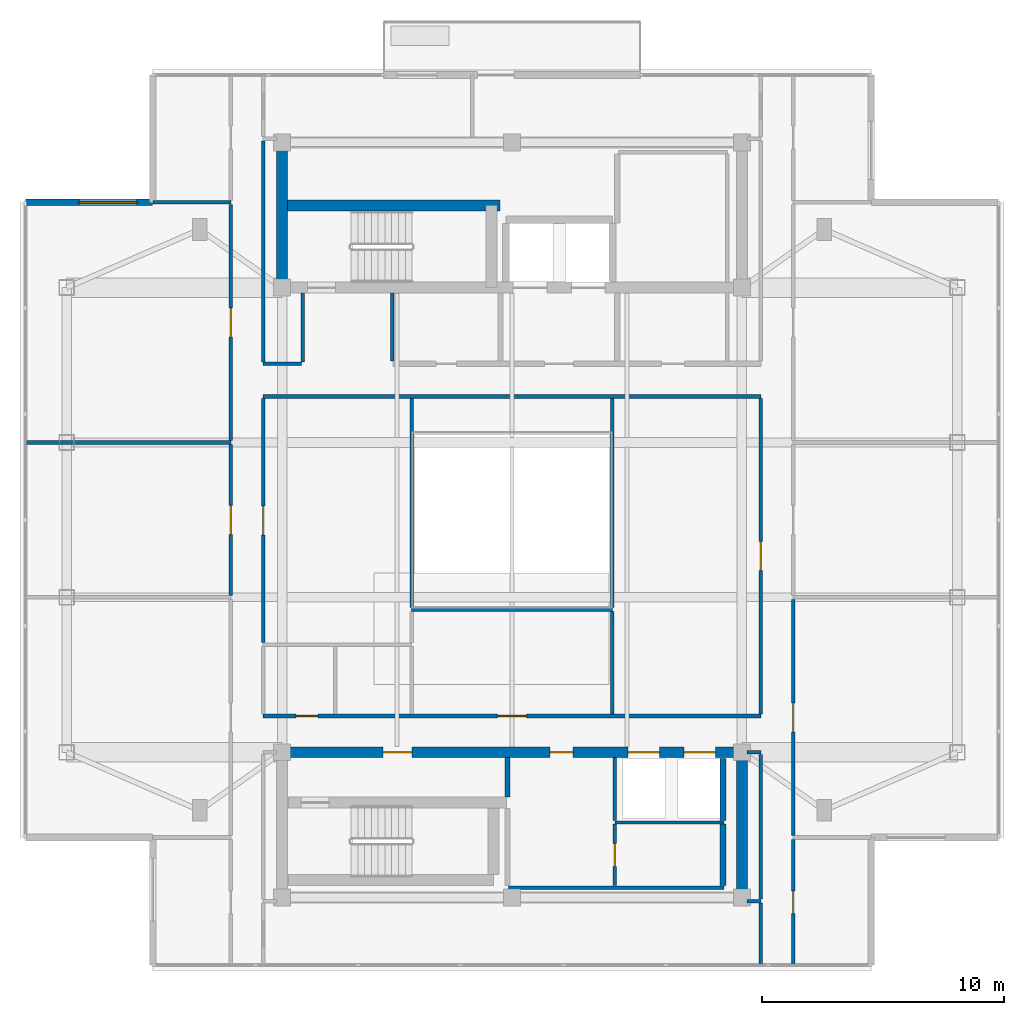
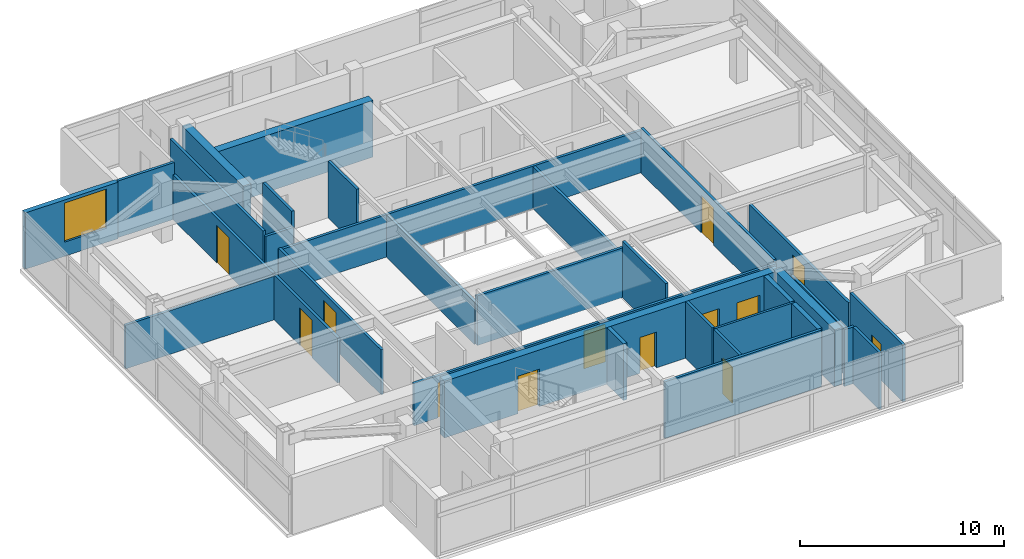
# One storey, part 6 of 12: 34 walls, 13 doors, 1 window, 14 openings.
"""IFC4 building model written with IfcOpenShell, lengths in metres."""

from ifc_helpers import new_model, si_unit, direction, frame, frame_2d, origin, place, context, subcontext, project, spatial, rectangle, extrude, material, layer, layer_set, type_object, element, fill, save


model = new_model("IFC4")

# Units and contexts
model_context = context("Model", 3, precision=1e-05, world=origin(), true_north=direction((0.0, 1.0)))
body_context = subcontext(model_context, "Body", "Model", "MODEL_VIEW")
ifc_project = project(units=[si_unit("LENGTHUNIT", "METRE"), si_unit("AREAUNIT", "SQUARE_METRE"), si_unit("VOLUMEUNIT", "CUBIC_METRE"), si_unit("PLANEANGLEUNIT", "RADIAN"), si_unit("MASSUNIT", "GRAM", prefix="KILO")], contexts=[model_context])

# Site, building, storey
site_placement = place(None, origin())
site = spatial("IfcSite", under=ifc_project, at=site_placement, CompositionType="ELEMENT")
building_placement = place(site_placement, origin())
building = spatial("IfcBuilding", under=site, at=building_placement, Name="Mirazonda Arch Towers", CompositionType="ELEMENT")
storey_placement = place(building_placement, frame((0.0, 0.0, 252.699951171875)))
storey = spatial("IfcBuildingStorey", under=building, at=storey_placement, Name="L72", CompositionType="ELEMENT", Elevation=252.699951171875)

# Walls
ifc_material_1 = material(Name="Concrete C50/60", Category="concrete")
ifc_layer_1 = layer(ifc_material_1, 0.449951171875, Name="WALL-CORE-450")
ifc_layer_set_1 = layer_set([ifc_layer_1], Name="Concrete C50/60")
wall_type_1 = type_object("IfcWallType", Name="WALL-CORE-450", PredefinedType="SHEAR", material=ifc_layer_set_1)
wall_1_placement = place(storey_placement, frame((11.0, 37.60009765625, 0.0), z_axis=(0.0, 0.0, 1.0), x_axis=(0.0, 1.0, 0.0)))
element("IfcWall", 1, at=wall_1_placement, inside=storey, type_object=wall_type_1, Name="L72 T1N-W Core Shear Wall", PredefinedType="SHEAR", context=body_context, shape_type="SweptSolid", body=[
    extrude(rectangle(XDim=6.0, YDim=0.449951171875, at=frame_2d((3.0, 0.0))), origin(), (0.0, 0.0, 1.0), 3.400146484375),
])
wall_2_placement = place(storey_placement, frame((11.0, 40.992919921875, 0.0), z_axis=(0.0, 0.0, 1.0), x_axis=(1.0, 0.0, 0.0)))
element("IfcWall", 2, at=wall_2_placement, inside=storey, type_object=wall_type_1, Name="L72 T1N-STN Core Shear Wall", PredefinedType="SHEAR", context=body_context, shape_type="SweptSolid", body=[
    extrude(rectangle(XDim=9.0, YDim=0.449951171875, at=frame_2d((4.5, 0.0))), origin(), (0.0, 0.0, 1.0), 3.400146484375),
])
wall_3_placement = place(storey_placement, frame((30.0, 12.39990234375, 0.0), z_axis=(0.0, 0.0, 1.0), x_axis=(0.0, 1.0, 0.0)))
element("IfcWall", 3, at=wall_3_placement, inside=storey, type_object=wall_type_1, Name="L72 T1S-E Core Shear Wall", PredefinedType="SHEAR", context=body_context, shape_type="SweptSolid", body=[
    extrude(rectangle(XDim=6.0, YDim=0.449951171875, at=frame_2d((3.0, 0.0))), origin(), (0.0, 0.0, 1.0), 3.400146484375),
])

# Wall, openings, doors
wall_4_placement = place(storey_placement, frame((11.0, 18.39990234375, 0.0), z_axis=(0.0, 0.0, 1.0), x_axis=(1.0, 0.0, 0.0)))
wall_4 = element("IfcWall", 4, at=wall_4_placement, inside=storey, type_object=wall_type_1, Name="L72 T1S-N Core Shear Wall", PredefinedType="SHEAR", context=body_context, shape_type="SweptSolid", body=[
    extrude(rectangle(XDim=19.0, YDim=0.449951171875, at=frame_2d((9.5, 0.0))), origin(), (0.0, 0.0, 1.0), 3.400146484375),
])
opening_1_placement = place(wall_4_placement, frame((4.175048828125, 0.0, 0.0)))
opening_1 = element("IfcOpeningElement", 5, at=opening_1_placement, cuts=wall_4, Name="Opening DR-117", PredefinedType="OPENING", context=body_context, shape_type="SweptSolid", body=[
    extrude(rectangle(XDim=1.199951171875, YDim=2.25, at=frame_2d((0.60009765625, 1.125))), frame((0.0, 0.23486328125, 0.0), z_axis=(0.0, -1.0, 0.0), x_axis=(1.0, 0.0, 0.0)), (0.0, 0.0, 1.0), 0.469970703125),
])
opening_2_placement = place(wall_4_placement, frame((11.074951171875, 0.0, 0.0)))
opening_2 = element("IfcOpeningElement", 6, at=opening_2_placement, cuts=wall_4, Name="Opening DR-104", PredefinedType="OPENING", context=body_context, shape_type="SweptSolid", body=[
    extrude(rectangle(XDim=0.949951171875, YDim=2.14990234375, at=frame_2d((0.47509765625, 1.074951171875))), frame((0.0, 0.23486328125, 0.0), z_axis=(0.0, -1.0, 0.0), x_axis=(1.0, 0.0, 0.0)), (0.0, 0.0, 1.0), 0.469970703125),
])
opening_3_placement = place(wall_4_placement, frame((14.300048828125, 0.0, 0.0)))
opening_3 = element("IfcOpeningElement", 7, at=opening_3_placement, cuts=wall_4, Name="Opening LD-111", PredefinedType="OPENING", context=body_context, shape_type="SweptSolid", body=[
    extrude(rectangle(XDim=1.300048828125, YDim=2.300048828125, at=frame_2d((0.64990234375, 1.14990234375))), frame((0.0, 0.23486328125, 0.0), z_axis=(0.0, -1.0, 0.0), x_axis=(1.0, 0.0, 0.0)), (0.0, 0.0, 1.0), 0.469970703125),
])
opening_4_placement = place(wall_4_placement, frame((16.60009765625, 0.0, 0.0)))
opening_4 = element("IfcOpeningElement", 8, at=opening_4_placement, cuts=wall_4, Name="Opening LD-111", PredefinedType="OPENING", context=body_context, shape_type="SweptSolid", body=[
    extrude(rectangle(XDim=1.300048828125, YDim=2.300048828125, at=frame_2d((0.64990234375, 1.14990234375))), frame((0.0, 0.23486328125, 0.0), z_axis=(0.0, -1.0, 0.0), x_axis=(1.0, 0.0, 0.0)), (0.0, 0.0, 1.0), 0.469970703125),
])
ifc_material_2 = material(Name="Architectural Brushed Steel S355", Category="steel")
door_type_1 = type_object("IfcDoorType", Name="DOOR-FFL-FD90-1200", OperationType="NOTDEFINED", PredefinedType="DOOR", material=ifc_material_2)
door_1_placement = place(opening_1_placement, origin())
door_1 = element("IfcDoor", 9, at=door_1_placement, inside=storey, type_object=door_type_1, Name="L72 South Core Stair & Lift Lobby Door", OperationType="SINGLE_SWING_RIGHT", OverallHeight=2.25, OverallWidth=1.199951171875, PredefinedType="DOOR", context=body_context, shape_type="SweptSolid", body=[
    extrude(rectangle(XDim=1.199951171875, YDim=2.25, at=frame_2d((0.60009765625, 1.125))), frame((0.0, 0.02490234375, 0.0), z_axis=(0.0, -1.0, 0.0), x_axis=(1.0, 0.0, 0.0)), (0.0, 0.0, 1.0), 0.050048828125),
])
fill(opening_1, door_1)
door_type_2 = type_object("IfcDoorType", Name="DOOR-LIFT-LAND-1300", OperationType="NOTDEFINED", PredefinedType="DOOR", material=ifc_material_2)
door_2_placement = place(opening_3_placement, origin())
door_2 = element("IfcDoor", 10, at=door_2_placement, inside=storey, type_object=door_type_2, Name="L72 Lift Landing Sliding Door PL-T1H1", OperationType="DOUBLE_DOOR_SLIDING", OverallHeight=2.300048828125, OverallWidth=1.300048828125, PredefinedType="DOOR", context=body_context, shape_type="SweptSolid", body=[
    extrude(rectangle(XDim=1.300048828125, YDim=2.300048828125, at=frame_2d((0.64990234375, 1.14990234375))), frame((0.0, 0.02490234375, 0.0), z_axis=(0.0, -1.0, 0.0), x_axis=(1.0, 0.0, 0.0)), (0.0, 0.0, 1.0), 0.050048828125),
])
fill(opening_3, door_2)
door_3_placement = place(opening_4_placement, origin())
door_3 = element("IfcDoor", 11, at=door_3_placement, inside=storey, type_object=door_type_2, Name="L72 Lift Landing Sliding Door PL-T1H2", OperationType="DOUBLE_DOOR_SLIDING", OverallHeight=2.300048828125, OverallWidth=1.300048828125, PredefinedType="DOOR", context=body_context, shape_type="SweptSolid", body=[
    extrude(rectangle(XDim=1.300048828125, YDim=2.300048828125, at=frame_2d((0.64990234375, 1.14990234375))), frame((0.0, 0.02490234375, 0.0), z_axis=(0.0, -1.0, 0.0), x_axis=(1.0, 0.0, 0.0)), (0.0, 0.0, 1.0), 0.050048828125),
])
fill(opening_4, door_3)
door_type_3 = type_object("IfcDoorType", Name="DOOR-ROOM-950", OperationType="NOTDEFINED", PredefinedType="DOOR", material=ifc_material_2)
door_4_placement = place(opening_2_placement, origin())
door_4 = element("IfcDoor", 12, at=door_4_placement, inside=storey, type_object=door_type_3, Name="L72 Residents Wine Tasting Lounge Door", OperationType="SINGLE_SWING_RIGHT", OverallHeight=2.14990234375, OverallWidth=0.949951171875, PredefinedType="DOOR", context=body_context, shape_type="SweptSolid", body=[
    extrude(rectangle(XDim=0.949951171875, YDim=2.14990234375, at=frame_2d((0.47509765625, 1.074951171875))), frame((0.0, 0.02490234375, 0.0), z_axis=(0.0, -1.0, 0.0), x_axis=(1.0, 0.0, 0.0)), (0.0, 0.0, 1.0), 0.050048828125),
])
fill(opening_2, door_4)

# Wall, opening, window
ifc_material_3 = material(Name="Precast Concrete C40/50", Category="concrete")
ifc_layer_2 = layer(ifc_material_3, 0.280029296875, Name="WALL-EXT-WALL-280")
ifc_layer_set_2 = layer_set([ifc_layer_2], Name="Precast Concrete C40/50")
wall_type_2 = type_object("IfcWallType", Name="WALL-EXT-WALL-280", PredefinedType="SOLIDWALL", material=ifc_layer_set_2)
wall_5_placement = place(storey_placement, frame((5.655029296875, 41.123046875, 0.0), z_axis=(0.0, 0.0, 1.0), x_axis=(-1.0, 0.0, 0.0)))
wall_5 = element("IfcWall", 13, at=wall_5_placement, inside=storey, type_object=wall_type_2, Name="L72 T1 Corner Notch Return Wall WL-L72-T1-CNW1", PredefinedType="SOLIDWALL", context=body_context, shape_type="SweptSolid", body=[
    extrude(rectangle(XDim=5.26513671875, YDim=0.280029296875, at=frame_2d((2.632568359375, 0.0))), origin(), (0.0, 0.0, 1.0), 3.380126953125),
])
opening_5_placement = place(wall_5_placement, frame((0.64990234375, 0.0, 0.85009765625)))
opening_5 = element("IfcOpeningElement", 14, at=opening_5_placement, cuts=wall_5, Name="Opening WN-121", PredefinedType="OPENING", context=body_context, shape_type="SweptSolid", body=[
    extrude(rectangle(XDim=2.39990234375, YDim=2.35009765625, at=frame_2d((1.199951171875, 1.175048828125))), frame((0.0, 0.14990234375, 0.0), z_axis=(0.0, -1.0, 0.0), x_axis=(1.0, 0.0, 0.0)), (0.0, 0.0, 1.0), 0.300048828125),
])
ifc_material_4 = material(Name="Insulated Low-E Solar Glass", Category="glass")
window_type = type_object("IfcWindowType", Name="WIN-PENT-2400x2350", PartitioningType="SINGLE_PANEL", PredefinedType="WINDOW", material=ifc_material_4)
window_placement = place(opening_5_placement, origin())
window = element("IfcWindow", 15, at=window_placement, inside=storey, type_object=window_type, Name="L72 Punched Facade Window WN-L72-T1-CNW1", OverallHeight=2.35009765625, OverallWidth=2.39990234375, PartitioningType="SINGLE_PANEL", PredefinedType="WINDOW", context=body_context, shape_type="SweptSolid", body=[
    extrude(rectangle(XDim=2.39990234375, YDim=2.35009765625, at=frame_2d((1.199951171875, 1.175048828125))), frame((0.0, 0.030029296875, 0.0), z_axis=(0.0, -1.0, 0.0), x_axis=(1.0, 0.0, 0.0)), (0.0, 0.0, 1.0), 0.06005859375),
])
fill(opening_5, window)

# Walls
ifc_material_5 = material(Name="Concrete C40/50", Category="concrete")
ifc_layer_3 = layer(ifc_material_5, 0.219970703125, Name="WALL-FFL-220")
ifc_layer_set_3 = layer_set([ifc_layer_3], Name="Concrete C40/50")
wall_type_3 = type_object("IfcWallType", Name="WALL-FFL-220", PredefinedType="SOLIDWALL", material=ifc_layer_set_3)
wall_6_placement = place(storey_placement, frame((20.31494140625, 16.554931640625, 0.0), z_axis=(0.0, 0.0, 1.0), x_axis=(0.0, 1.0, 0.0)))
element("IfcWall", 16, at=wall_6_placement, inside=storey, type_object=wall_type_3, Name="L72 Interior Partition 048", PredefinedType="SOLIDWALL", context=body_context, shape_type="SweptSolid", body=[
    extrude(rectangle(XDim=1.625, YDim=0.219970703125, at=frame_2d((0.8125, 0.0))), origin(), (0.0, 0.0, 1.0), 3.400146484375),
])
ifc_material_6 = material(Name="Fire-Rated Gypsum Stud Partition")
ifc_layer_4 = layer(ifc_material_6, 0.14990234375, Name="WALL-PART-CORR-150")
ifc_layer_set_4 = layer_set([ifc_layer_4], Name="Fire-Rated Gypsum Stud Partition")
wall_type_4 = type_object("IfcWallType", Name="WALL-PART-CORR-150", PredefinedType="PARTITIONING", material=ifc_layer_set_4)
wall_7_placement = place(storey_placement, frame((30.219970703125, 12.25, 0.0), z_axis=(0.0, 0.0, 1.0), x_axis=(1.0, 0.0, 0.0)))
element("IfcWall", 17, at=wall_7_placement, inside=storey, type_object=wall_type_4, Name="L72 Interior Partition 002", PredefinedType="PARTITIONING", context=body_context, shape_type="SweptSolid", body=[
    extrude(rectangle(XDim=0.56005859375, YDim=0.14990234375, at=frame_2d((0.280029296875, 0.0))), origin(), (0.0, 0.0, 1.0), 3.400146484375),
])
wall_8_placement = place(storey_placement, frame((20.35009765625, 12.800048828125, 0.0), z_axis=(0.0, 0.0, 1.0), x_axis=(1.0, 0.0, 0.0)))
element("IfcWall", 18, at=wall_8_placement, inside=storey, type_object=wall_type_4, Name="L72 Interior Partition 003", PredefinedType="PARTITIONING", context=body_context, shape_type="SweptSolid", body=[
    extrude(rectangle(XDim=8.89990234375, YDim=0.14990234375, at=frame_2d((4.449951171875, 0.0))), origin(), (0.0, 0.0, 1.0), 3.400146484375),
])
wall_9_placement = place(storey_placement, frame((30.219970703125, 18.39990234375, 0.0), z_axis=(0.0, 0.0, 1.0), x_axis=(1.0, 0.0, 0.0)))
element("IfcWall", 19, at=wall_9_placement, inside=storey, type_object=wall_type_4, Name="L72 Interior Partition 010", PredefinedType="PARTITIONING", context=body_context, shape_type="SweptSolid", body=[
    extrude(rectangle(XDim=0.56005859375, YDim=0.14990234375, at=frame_2d((0.280029296875, 0.0))), origin(), (0.0, 0.0, 1.0), 2.7919921875),
])

# Wall, openings, doors
wall_10_placement = place(storey_placement, frame((10.219970703125, 19.89990234375, 0.0), z_axis=(0.0, 0.0, 1.0), x_axis=(1.0, 0.0, 0.0)))
wall_10 = element("IfcWall", 20, at=wall_10_placement, inside=storey, type_object=wall_type_4, Name="L72 Interior Partition 011", PredefinedType="PARTITIONING", context=body_context, shape_type="SweptSolid", body=[
    extrude(rectangle(XDim=20.56005859375, YDim=0.14990234375, at=frame_2d((10.280029296875, 0.0))), origin(), (0.0, 0.0, 1.0), 2.5361328125),
])
opening_6_placement = place(wall_10_placement, frame((1.360107421875, 0.0, 0.0)))
opening_6 = element("IfcOpeningElement", 21, at=opening_6_placement, cuts=wall_10, Name="Opening DR-120", PredefinedType="OPENING", context=body_context, shape_type="SweptSolid", body=[
    extrude(rectangle(XDim=0.89990234375, YDim=2.10009765625, at=frame_2d((0.449951171875, 1.050048828125))), frame((0.0, 0.0849609375, 0.0), z_axis=(0.0, -1.0, 0.0), x_axis=(1.0, 0.0, 0.0)), (0.0, 0.0, 1.0), 0.169921875),
])
opening_7_placement = place(wall_10_placement, frame((9.679931640625, 0.0, 0.0)))
opening_7 = element("IfcOpeningElement", 22, at=opening_7_placement, cuts=wall_10, Name="Opening DR-117", PredefinedType="OPENING", context=body_context, shape_type="SweptSolid", body=[
    extrude(rectangle(XDim=1.199951171875, YDim=2.25, at=frame_2d((0.60009765625, 1.125))), frame((0.0, 0.0849609375, 0.0), z_axis=(0.0, -1.0, 0.0), x_axis=(1.0, 0.0, 0.0)), (0.0, 0.0, 1.0), 0.169921875),
])
door_5_placement = place(opening_7_placement, origin())
door_5 = element("IfcDoor", 23, at=door_5_placement, inside=storey, type_object=door_type_1, Name="L72 L72 South Oculus Horizon Salon Door", OperationType="SINGLE_SWING_RIGHT", OverallHeight=2.25, OverallWidth=1.199951171875, PredefinedType="DOOR", context=body_context, shape_type="SweptSolid", body=[
    extrude(rectangle(XDim=1.199951171875, YDim=2.25, at=frame_2d((0.60009765625, 1.125))), frame((0.0, 0.02490234375, 0.0), z_axis=(0.0, -1.0, 0.0), x_axis=(1.0, 0.0, 0.0)), (0.0, 0.0, 1.0), 0.050048828125),
])
fill(opening_7, door_5)
door_type_4 = type_object("IfcDoorType", Name="DOOR-WC-900", OperationType="NOTDEFINED", PredefinedType="DOOR", material=ifc_material_2)
door_6_placement = place(opening_6_placement, origin())
door_6 = element("IfcDoor", 24, at=door_6_placement, inside=storey, type_object=door_type_4, Name="L72 Common Accessible WC Door", OperationType="SINGLE_SWING_RIGHT", OverallHeight=2.10009765625, OverallWidth=0.89990234375, PredefinedType="DOOR", context=body_context, shape_type="SweptSolid", body=[
    extrude(rectangle(XDim=0.89990234375, YDim=2.10009765625, at=frame_2d((0.449951171875, 1.050048828125))), frame((0.0, 0.02490234375, 0.0), z_axis=(0.0, -1.0, 0.0), x_axis=(1.0, 0.0, 0.0)), (0.0, 0.0, 1.0), 0.050048828125),
])
fill(opening_6, door_6)

# Walls
wall_11_placement = place(storey_placement, frame((16.35009765625, 24.300048828125, 0.0), z_axis=(0.0, 0.0, 1.0), x_axis=(1.0, 0.0, 0.0)))
element("IfcWall", 25, at=wall_11_placement, inside=storey, type_object=wall_type_4, Name="L72 Interior Partition 013", PredefinedType="PARTITIONING", context=body_context, shape_type="SweptSolid", body=[
    extrude(rectangle(XDim=8.2998046875, YDim=0.14990234375, at=frame_2d((4.14990234375, 0.0))), origin(), (0.0, 0.0, 1.0), 2.97509765625),
])
wall_12_placement = place(storey_placement, frame((0.389892578125, 31.199951171875, 0.0), z_axis=(0.0, 0.0, 1.0), x_axis=(1.0, 0.0, 0.0)))
element("IfcWall", 26, at=wall_12_placement, inside=storey, type_object=wall_type_4, Name="L72 Interior Partition 016", PredefinedType="PARTITIONING", context=body_context, shape_type="SweptSolid", body=[
    extrude(rectangle(XDim=8.489990234375, YDim=0.14990234375, at=frame_2d((4.2451171875, 0.0))), origin(), (0.0, 0.0, 1.0), 2.619140625),
])
wall_13_placement = place(storey_placement, frame((10.219970703125, 33.10009765625, 0.0), z_axis=(0.0, 0.0, 1.0), x_axis=(1.0, 0.0, 0.0)))
element("IfcWall", 27, at=wall_13_placement, inside=storey, type_object=wall_type_4, Name="L72 Interior Partition 018", PredefinedType="PARTITIONING", context=body_context, shape_type="SweptSolid", body=[
    extrude(rectangle(XDim=20.56005859375, YDim=0.14990234375, at=frame_2d((10.280029296875, 0.0))), origin(), (0.0, 0.0, 1.0), 2.5361328125),
])
wall_14_placement = place(storey_placement, frame((10.219970703125, 34.449951171875, 0.0), z_axis=(0.0, 0.0, 1.0), x_axis=(1.0, 0.0, 0.0)))
element("IfcWall", 28, at=wall_14_placement, inside=storey, type_object=wall_type_4, Name="L72 Interior Partition 019", PredefinedType="PARTITIONING", context=body_context, shape_type="SweptSolid", body=[
    extrude(rectangle(XDim=1.580078125, YDim=0.14990234375, at=frame_2d((0.7900390625, 0.0))), origin(), (0.0, 0.0, 1.0), 2.5361328125),
])
wall_15_placement = place(storey_placement, frame((5.675048828125, 41.123046875, 0.0), z_axis=(0.0, 0.0, 1.0), x_axis=(1.0, 0.0, 0.0)))
element("IfcWall", 29, at=wall_15_placement, inside=storey, type_object=wall_type_4, Name="L72 Interior Partition 022", PredefinedType="PARTITIONING", context=body_context, shape_type="SweptSolid", body=[
    extrude(rectangle(XDim=3.204833984375, YDim=0.14990234375, at=frame_2d((1.6025390625, 0.0))), origin(), (0.0, 0.0, 1.0), 3.400146484375),
])

# Wall, opening, door
wall_16_placement = place(storey_placement, frame((8.8798828125, 24.885009765625, 0.0), z_axis=(0.0, 0.0, 1.0), x_axis=(0.0, 1.0, 0.0)))
wall_16 = element("IfcWall", 30, at=wall_16_placement, inside=storey, type_object=wall_type_4, Name="L72 Interior Partition 029", PredefinedType="PARTITIONING", context=body_context, shape_type="SweptSolid", body=[
    extrude(rectangle(XDim=6.22998046875, YDim=0.14990234375, at=frame_2d((3.114990234375, 0.0))), origin(), (0.0, 0.0, 1.0), 2.696044921875),
])
opening_8_placement = place(wall_16_placement, frame((2.514892578125, 0.0, 0.0)))
opening_8 = element("IfcOpeningElement", 31, at=opening_8_placement, cuts=wall_16, Name="Opening DR-117", PredefinedType="OPENING", context=body_context, shape_type="SweptSolid", body=[
    extrude(rectangle(XDim=1.199951171875, YDim=2.25, at=frame_2d((0.60009765625, 1.125))), frame((0.0, 0.0849609375, 0.0), z_axis=(0.0, -1.0, 0.0), x_axis=(1.0, 0.0, 0.0)), (0.0, 0.0, 1.0), 0.169921875),
])
door_7_placement = place(opening_8_placement, origin())
door_7 = element("IfcDoor", 32, at=door_7_placement, inside=storey, type_object=door_type_1, Name="L72 Interactive City Heritage Gallery 2 Door", OperationType="SINGLE_SWING_RIGHT", OverallHeight=2.25, OverallWidth=1.199951171875, PredefinedType="DOOR", context=body_context, shape_type="SweptSolid", body=[
    extrude(rectangle(XDim=1.199951171875, YDim=2.25, at=frame_2d((0.60009765625, 1.125))), frame((0.0, 0.02490234375, 0.0), z_axis=(0.0, -1.0, 0.0), x_axis=(1.0, 0.0, 0.0)), (0.0, 0.0, 1.0), 0.050048828125),
])
fill(opening_8, door_7)

wall_17_placement = place(storey_placement, frame((8.8798828125, 31.284912109375, 0.0), z_axis=(0.0, 0.0, 1.0), x_axis=(0.0, 1.0, 0.0)))
wall_17 = element("IfcWall", 33, at=wall_17_placement, inside=storey, type_object=wall_type_4, Name="L72 Interior Partition 030", PredefinedType="PARTITIONING", context=body_context, shape_type="SweptSolid", body=[
    extrude(rectangle(XDim=9.753173828125, YDim=0.14990234375, at=frame_2d((4.87646484375, 0.0))), origin(), (0.0, 0.0, 1.0), 2.696044921875),
])
opening_9_placement = place(wall_17_placement, frame((4.276611328125, 0.0, 0.0)))
opening_9 = element("IfcOpeningElement", 34, at=opening_9_placement, cuts=wall_17, Name="Opening DR-117", PredefinedType="OPENING", context=body_context, shape_type="SweptSolid", body=[
    extrude(rectangle(XDim=1.199951171875, YDim=2.25, at=frame_2d((0.60009765625, 1.125))), frame((0.0, 0.0849609375, 0.0), z_axis=(0.0, -1.0, 0.0), x_axis=(1.0, 0.0, 0.0)), (0.0, 0.0, 1.0), 0.169921875),
])
door_8_placement = place(opening_9_placement, origin())
door_8 = element("IfcDoor", 35, at=door_8_placement, inside=storey, type_object=door_type_1, Name="L72 High-Altitude Telescope Salon 3 Door", OperationType="SINGLE_SWING_LEFT", OverallHeight=2.25, OverallWidth=1.199951171875, PredefinedType="DOOR", context=body_context, shape_type="SweptSolid", body=[
    extrude(rectangle(XDim=1.199951171875, YDim=2.25, at=frame_2d((0.60009765625, 1.125))), frame((0.0, 0.02490234375, 0.0), z_axis=(0.0, -1.0, 0.0), x_axis=(1.0, 0.0, 0.0)), (0.0, 0.0, 1.0), 0.050048828125),
])
fill(opening_9, door_8)

wall_18_placement = place(storey_placement, frame((10.219970703125, 22.93505859375, 0.0), z_axis=(0.0, 0.0, 1.0), x_axis=(0.0, 1.0, 0.0)))
wall_18 = element("IfcWall", 36, at=wall_18_placement, inside=storey, type_object=wall_type_4, Name="L72 Interior Partition 035", PredefinedType="PARTITIONING", context=body_context, shape_type="SweptSolid", body=[
    extrude(rectangle(XDim=10.079833984375, YDim=0.14990234375, at=frame_2d((5.0400390625, 0.0))), origin(), (0.0, 0.0, 1.0), 2.696044921875),
])
opening_10_placement = place(wall_18_placement, frame((4.43994140625, 0.0, 0.0)))
opening_10 = element("IfcOpeningElement", 37, at=opening_10_placement, cuts=wall_18, Name="Opening DR-117", PredefinedType="OPENING", context=body_context, shape_type="SweptSolid", body=[
    extrude(rectangle(XDim=1.199951171875, YDim=2.25, at=frame_2d((0.60009765625, 1.125))), frame((0.0, 0.0849609375, 0.0), z_axis=(0.0, -1.0, 0.0), x_axis=(1.0, 0.0, 0.0)), (0.0, 0.0, 1.0), 0.169921875),
])
door_9_placement = place(opening_10_placement, origin())
door_9 = element("IfcDoor", 38, at=door_9_placement, inside=storey, type_object=door_type_1, Name="L72 L72 West Oculus Viewing Gallery Door", OperationType="SINGLE_SWING_LEFT", OverallHeight=2.25, OverallWidth=1.199951171875, PredefinedType="DOOR", context=body_context, shape_type="SweptSolid", body=[
    extrude(rectangle(XDim=1.199951171875, YDim=2.25, at=frame_2d((0.60009765625, 1.125))), frame((0.0, 0.02490234375, 0.0), z_axis=(0.0, -1.0, 0.0), x_axis=(1.0, 0.0, 0.0)), (0.0, 0.0, 1.0), 0.050048828125),
])
fill(opening_10, door_9)

# Walls
wall_19_placement = place(storey_placement, frame((10.219970703125, 34.534912109375, 0.0), z_axis=(0.0, 0.0, 1.0), x_axis=(0.0, 1.0, 0.0)))
element("IfcWall", 39, at=wall_19_placement, inside=storey, type_object=wall_type_4, Name="L72 Interior Partition 036", PredefinedType="PARTITIONING", context=body_context, shape_type="SweptSolid", body=[
    extrude(rectangle(XDim=9.130126953125, YDim=0.14990234375, at=frame_2d((4.56494140625, 0.0))), origin(), (0.0, 0.0, 1.0), 2.7919921875),
])
wall_20_placement = place(storey_placement, frame((11.85009765625, 34.534912109375, 0.0), z_axis=(0.0, 0.0, 1.0), x_axis=(0.0, 1.0, 0.0)))
element("IfcWall", 40, at=wall_20_placement, inside=storey, type_object=wall_type_4, Name="L72 Interior Partition 038", PredefinedType="PARTITIONING", context=body_context, shape_type="SweptSolid", body=[
    extrude(rectangle(XDim=2.844970703125, YDim=0.14990234375, at=frame_2d((1.42236328125, 0.0))), origin(), (0.0, 0.0, 1.0), 3.400146484375),
])
wall_21_placement = place(storey_placement, frame((15.550048828125, 34.570068359375, 0.0), z_axis=(0.0, 0.0, 1.0), x_axis=(0.0, 1.0, 0.0)))
element("IfcWall", 41, at=wall_21_placement, inside=storey, type_object=wall_type_4, Name="L72 Interior Partition 040", PredefinedType="PARTITIONING", context=body_context, shape_type="SweptSolid", body=[
    extrude(rectangle(XDim=2.809814453125, YDim=0.14990234375, at=frame_2d((1.40478515625, 0.0))), origin(), (0.0, 0.0, 1.0), 3.400146484375),
])
wall_22_placement = place(storey_placement, frame((16.35009765625, 24.385009765625, 0.0), z_axis=(0.0, 0.0, 1.0), x_axis=(0.0, 1.0, 0.0)))
element("IfcWall", 42, at=wall_22_placement, inside=storey, type_object=wall_type_4, Name="L72 Interior Partition 043", PredefinedType="PARTITIONING", context=body_context, shape_type="SweptSolid", body=[
    extrude(rectangle(XDim=8.6298828125, YDim=0.14990234375, at=frame_2d((4.31494140625, 0.0))), origin(), (0.0, 0.0, 1.0), 2.5361328125),
])

# Wall, opening, door
wall_23_placement = place(storey_placement, frame((24.75, 12.885009765625, 0.0), z_axis=(0.0, 0.0, 1.0), x_axis=(0.0, 1.0, 0.0)))
wall_23 = element("IfcWall", 43, at=wall_23_placement, inside=storey, type_object=wall_type_4, Name="L72 Interior Partition 050", PredefinedType="PARTITIONING", context=body_context, shape_type="SweptSolid", body=[
    extrude(rectangle(XDim=2.54248046875, YDim=0.14990234375, at=frame_2d((1.271240234375, 0.0))), origin(), (0.0, 0.0, 1.0), 3.400146484375),
])
opening_11_placement = place(wall_23_placement, frame((0.79638671875, 0.0, 0.0)))
opening_11 = element("IfcOpeningElement", 44, at=opening_11_placement, cuts=wall_23, Name="Opening DR-104", PredefinedType="OPENING", context=body_context, shape_type="SweptSolid", body=[
    extrude(rectangle(XDim=0.949951171875, YDim=2.14990234375, at=frame_2d((0.47509765625, 1.074951171875))), frame((0.0, 0.0849609375, 0.0), z_axis=(0.0, -1.0, 0.0), x_axis=(1.0, 0.0, 0.0)), (0.0, 0.0, 1.0), 0.169921875),
])
door_10_placement = place(opening_11_placement, origin())
door_10 = element("IfcDoor", 45, at=door_10_placement, inside=storey, type_object=door_type_3, Name="L72 Residents Private Archive Study Door", OperationType="SINGLE_SWING_LEFT", OverallHeight=2.14990234375, OverallWidth=0.949951171875, PredefinedType="DOOR", context=body_context, shape_type="SweptSolid", body=[
    extrude(rectangle(XDim=0.949951171875, YDim=2.14990234375, at=frame_2d((0.47509765625, 1.074951171875))), frame((0.0, 0.02490234375, 0.0), z_axis=(0.0, -1.0, 0.0), x_axis=(1.0, 0.0, 0.0)), (0.0, 0.0, 1.0), 0.050048828125),
])
fill(opening_11, door_10)

# Walls
wall_24_placement = place(storey_placement, frame((24.75, 15.572509765625, 0.0), z_axis=(0.0, 0.0, 1.0), x_axis=(0.0, 1.0, 0.0)))
element("IfcWall", 46, at=wall_24_placement, inside=storey, type_object=wall_type_4, Name="L72 Interior Partition 051", PredefinedType="PARTITIONING", context=body_context, shape_type="SweptSolid", body=[
    extrude(rectangle(XDim=2.607421875, YDim=0.14990234375, at=frame_2d((1.3037109375, 0.0))), origin(), (0.0, 0.0, 1.0), 3.400146484375),
])
wall_25_placement = place(storey_placement, frame((24.64990234375, 19.985107421875, 0.0), z_axis=(0.0, 0.0, 1.0), x_axis=(0.0, 1.0, 0.0)))
element("IfcWall", 47, at=wall_25_placement, inside=storey, type_object=wall_type_4, Name="L72 Interior Partition 052", PredefinedType="PARTITIONING", context=body_context, shape_type="SweptSolid", body=[
    extrude(rectangle(XDim=4.22998046875, YDim=0.14990234375, at=frame_2d((2.114990234375, 0.0))), origin(), (0.0, 0.0, 1.0), 3.400146484375),
])
wall_26_placement = place(storey_placement, frame((24.64990234375, 24.385009765625, 0.0), z_axis=(0.0, 0.0, 1.0), x_axis=(0.0, 1.0, 0.0)))
element("IfcWall", 48, at=wall_26_placement, inside=storey, type_object=wall_type_4, Name="L72 Interior Partition 053", PredefinedType="PARTITIONING", context=body_context, shape_type="SweptSolid", body=[
    extrude(rectangle(XDim=8.6298828125, YDim=0.14990234375, at=frame_2d((4.31494140625, 0.0))), origin(), (0.0, 0.0, 1.0), 2.5361328125),
])
wall_27_placement = place(storey_placement, frame((30.780029296875, 9.612060546875, 0.0), z_axis=(0.0, 0.0, 1.0), x_axis=(0.0, 1.0, 0.0)))
element("IfcWall", 49, at=wall_27_placement, inside=storey, type_object=wall_type_4, Name="L72 Interior Partition 061", PredefinedType="PARTITIONING", context=body_context, shape_type="SweptSolid", body=[
    extrude(rectangle(XDim=2.552978515625, YDim=0.14990234375, at=frame_2d((1.2763671875, 0.0))), origin(), (0.0, 0.0, 1.0), 3.400146484375),
])
wall_28_placement = place(storey_placement, frame((30.780029296875, 12.3349609375, 0.0), z_axis=(0.0, 0.0, 1.0), x_axis=(0.0, 1.0, 0.0)))
element("IfcWall", 50, at=wall_28_placement, inside=storey, type_object=wall_type_4, Name="L72 Interior Partition 062", PredefinedType="PARTITIONING", context=body_context, shape_type="SweptSolid", body=[
    extrude(rectangle(XDim=5.97998046875, YDim=0.14990234375, at=frame_2d((2.989990234375, 0.0))), origin(), (0.0, 0.0, 1.0), 2.7919921875),
])

# Wall, opening, door
wall_29_placement = place(storey_placement, frame((30.780029296875, 19.985107421875, 0.0), z_axis=(0.0, 0.0, 1.0), x_axis=(0.0, 1.0, 0.0)))
wall_29 = element("IfcWall", 51, at=wall_29_placement, inside=storey, type_object=wall_type_4, Name="L72 Interior Partition 063", PredefinedType="PARTITIONING", context=body_context, shape_type="SweptSolid", body=[
    extrude(rectangle(XDim=13.02978515625, YDim=0.14990234375, at=frame_2d((6.514892578125, 0.0))), origin(), (0.0, 0.0, 1.0), 2.696044921875),
])
opening_12_placement = place(wall_29_placement, frame((5.9150390625, 0.0, 0.0)))
opening_12 = element("IfcOpeningElement", 52, at=opening_12_placement, cuts=wall_29, Name="Opening DR-117", PredefinedType="OPENING", context=body_context, shape_type="SweptSolid", body=[
    extrude(rectangle(XDim=1.199951171875, YDim=2.25, at=frame_2d((0.60009765625, 1.125))), frame((0.0, 0.0849609375, 0.0), z_axis=(0.0, -1.0, 0.0), x_axis=(1.0, 0.0, 0.0)), (0.0, 0.0, 1.0), 0.169921875),
])
door_11_placement = place(opening_12_placement, origin())
door_11 = element("IfcDoor", 53, at=door_11_placement, inside=storey, type_object=door_type_1, Name="L72 L72 East Oculus Sky-Salon Door", OperationType="SINGLE_SWING_LEFT", OverallHeight=2.25, OverallWidth=1.199951171875, PredefinedType="DOOR", context=body_context, shape_type="SweptSolid", body=[
    extrude(rectangle(XDim=1.199951171875, YDim=2.25, at=frame_2d((0.60009765625, 1.125))), frame((0.0, 0.02490234375, 0.0), z_axis=(0.0, -1.0, 0.0), x_axis=(1.0, 0.0, 0.0)), (0.0, 0.0, 1.0), 0.050048828125),
])
fill(opening_12, door_11)

wall_30_placement = place(storey_placement, frame((32.1201171875, 9.612060546875, 0.0), z_axis=(0.0, 0.0, 1.0), x_axis=(0.0, 1.0, 0.0)))
wall_30 = element("IfcWall", 54, at=wall_30_placement, inside=storey, type_object=wall_type_4, Name="L72 Interior Partition 066", PredefinedType="PARTITIONING", context=body_context, shape_type="SweptSolid", body=[
    extrude(rectangle(XDim=5.179931640625, YDim=0.14990234375, at=frame_2d((2.58984375, 0.0))), origin(), (0.0, 0.0, 1.0), 3.400146484375),
])
opening_13_placement = place(wall_30_placement, frame((2.114990234375, 0.0, 0.0)))
opening_13 = element("IfcOpeningElement", 55, at=opening_13_placement, cuts=wall_30, Name="Opening DR-104", PredefinedType="OPENING", context=body_context, shape_type="SweptSolid", body=[
    extrude(rectangle(XDim=0.949951171875, YDim=2.14990234375, at=frame_2d((0.47509765625, 1.074951171875))), frame((0.0, 0.0849609375, 0.0), z_axis=(0.0, -1.0, 0.0), x_axis=(1.0, 0.0, 0.0)), (0.0, 0.0, 1.0), 0.169921875),
])
door_12_placement = place(opening_13_placement, origin())
door_12 = element("IfcDoor", 56, at=door_12_placement, inside=storey, type_object=door_type_3, Name="L72 South Lookout Salon Alcove East Door", OperationType="SINGLE_SWING_RIGHT", OverallHeight=2.14990234375, OverallWidth=0.949951171875, PredefinedType="DOOR", context=body_context, shape_type="SweptSolid", body=[
    extrude(rectangle(XDim=0.949951171875, YDim=2.14990234375, at=frame_2d((0.47509765625, 1.074951171875))), frame((0.0, 0.02490234375, 0.0), z_axis=(0.0, -1.0, 0.0), x_axis=(1.0, 0.0, 0.0)), (0.0, 0.0, 1.0), 0.050048828125),
])
fill(opening_13, door_12)

wall_31_placement = place(storey_placement, frame((32.1201171875, 14.9619140625, 0.0), z_axis=(0.0, 0.0, 1.0), x_axis=(0.0, 1.0, 0.0)))
wall_31 = element("IfcWall", 57, at=wall_31_placement, inside=storey, type_object=wall_type_4, Name="L72 Interior Partition 067", PredefinedType="PARTITIONING", context=body_context, shape_type="SweptSolid", body=[
    extrude(rectangle(XDim=9.753173828125, YDim=0.14990234375, at=frame_2d((4.87646484375, 0.0))), origin(), (0.0, 0.0, 1.0), 2.696044921875),
])
opening_14_placement = place(wall_31_placement, frame((4.276611328125, 0.0, 0.0)))
opening_14 = element("IfcOpeningElement", 58, at=opening_14_placement, cuts=wall_31, Name="Opening DR-117", PredefinedType="OPENING", context=body_context, shape_type="SweptSolid", body=[
    extrude(rectangle(XDim=1.199951171875, YDim=2.25, at=frame_2d((0.60009765625, 1.125))), frame((0.0, 0.0849609375, 0.0), z_axis=(0.0, -1.0, 0.0), x_axis=(1.0, 0.0, 0.0)), (0.0, 0.0, 1.0), 0.169921875),
])
door_13_placement = place(opening_14_placement, origin())
door_13 = element("IfcDoor", 59, at=door_13_placement, inside=storey, type_object=door_type_1, Name="L72 Public Sky-Lookout & Observation Deck 1 Door", OperationType="SINGLE_SWING_RIGHT", OverallHeight=2.25, OverallWidth=1.199951171875, PredefinedType="DOOR", context=body_context, shape_type="SweptSolid", body=[
    extrude(rectangle(XDim=1.199951171875, YDim=2.25, at=frame_2d((0.60009765625, 1.125))), frame((0.0, 0.02490234375, 0.0), z_axis=(0.0, -1.0, 0.0), x_axis=(1.0, 0.0, 0.0)), (0.0, 0.0, 1.0), 0.050048828125),
])
fill(opening_14, door_13)

# Walls
ifc_material_7 = material(Name="Acoustic Fire-Rated Gypsum Partition")
ifc_layer_5 = layer(ifc_material_7, 0.125, Name="WALL-PART-UNIT-125")
ifc_layer_set_5 = layer_set([ifc_layer_5], Name="Acoustic Fire-Rated Gypsum Partition")
wall_type_5 = type_object("IfcWallType", Name="WALL-PART-UNIT-125", PredefinedType="PARTITIONING", material=ifc_layer_set_5)
wall_32_placement = place(storey_placement, frame((24.75, 15.5, 0.0), z_axis=(0.0, 0.0, 1.0), x_axis=(1.0, 0.0, 0.0)))
element("IfcWall", 60, at=wall_32_placement, inside=storey, type_object=wall_type_5, Name="L72 Interior Partition 007", PredefinedType="PARTITIONING", context=body_context, shape_type="SweptSolid", body=[
    extrude(rectangle(XDim=4.5, YDim=0.125, at=frame_2d((2.25, 0.0))), origin(), (0.0, 0.0, 1.0), 3.400146484375),
])
ifc_layer_6 = layer(ifc_material_5, 0.25, Name="WALL-SHAFT-250")
ifc_layer_set_6 = layer_set([ifc_layer_6], Name="Concrete C40/50")
wall_type_6 = type_object("IfcWallType", Name="WALL-SHAFT-250", PredefinedType="SOLIDWALL", material=ifc_layer_set_6)
wall_33_placement = place(storey_placement, frame((29.22509765625, 12.885009765625, 0.0), z_axis=(0.0, 0.0, 1.0), x_axis=(0.0, 1.0, 0.0)))
element("IfcWall", 61, at=wall_33_placement, inside=storey, type_object=wall_type_6, Name="L72 Interior Partition 057", PredefinedType="SOLIDWALL", context=body_context, shape_type="SweptSolid", body=[
    extrude(rectangle(XDim=2.54248046875, YDim=0.25, at=frame_2d((1.271240234375, 0.0))), origin(), (0.0, 0.0, 1.0), 3.400146484375),
])
wall_34_placement = place(storey_placement, frame((29.22509765625, 15.572509765625, 0.0), z_axis=(0.0, 0.0, 1.0), x_axis=(0.0, 1.0, 0.0)))
element("IfcWall", 62, at=wall_34_placement, inside=storey, type_object=wall_type_6, Name="L72 Interior Partition 058", PredefinedType="SOLIDWALL", context=body_context, shape_type="SweptSolid", body=[
    extrude(rectangle(XDim=2.577392578125, YDim=0.25, at=frame_2d((1.28857421875, 0.0))), origin(), (0.0, 0.0, 1.0), 3.400146484375),
])

save(model, "model.ifc")
